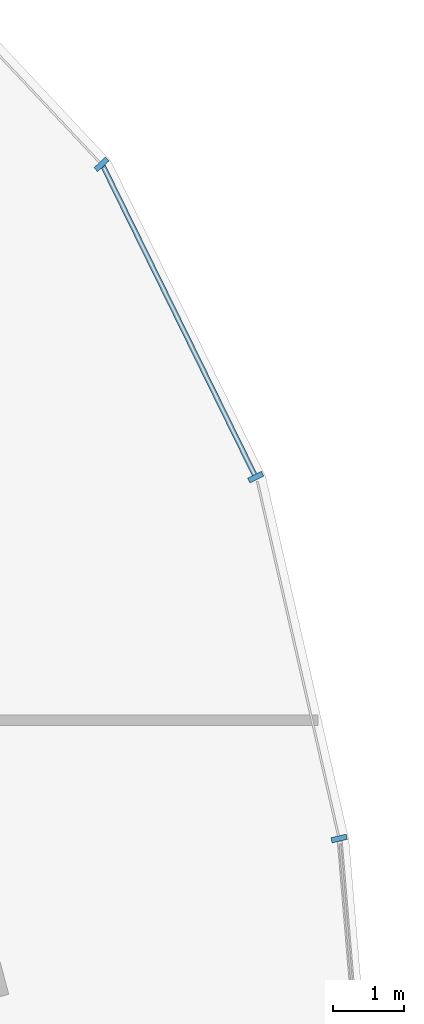
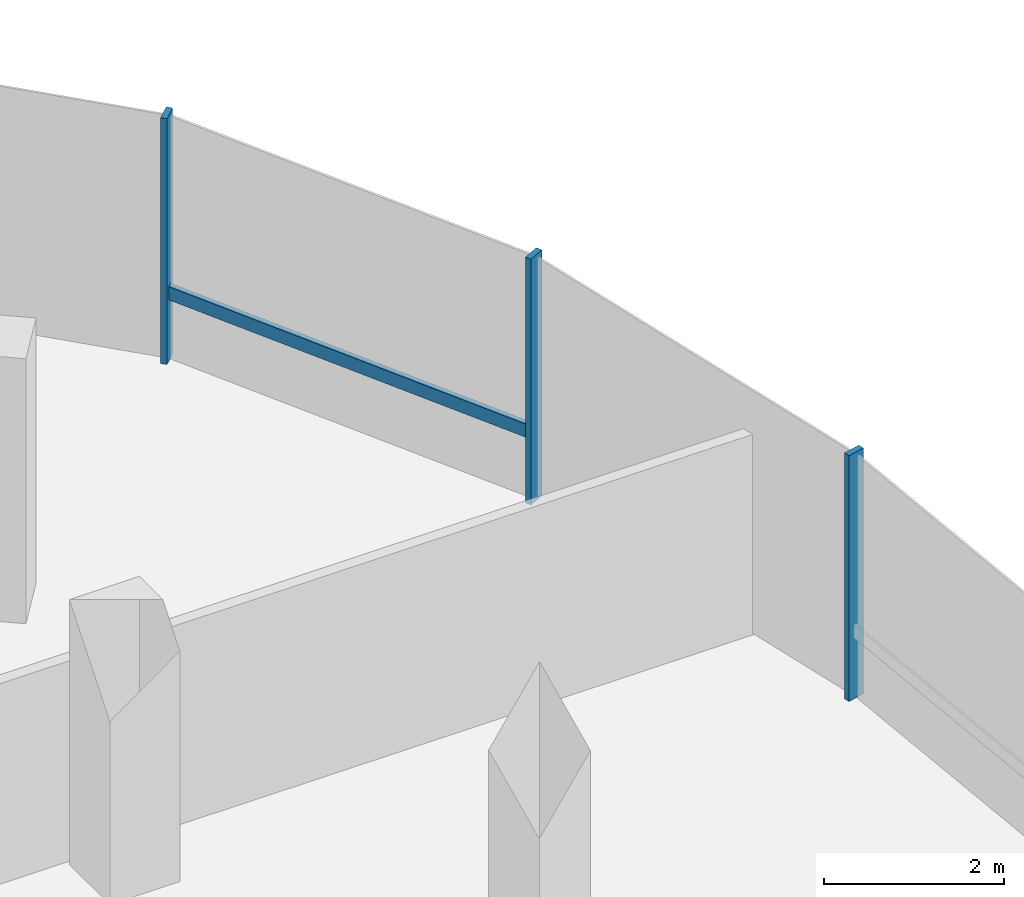
# One storey, part 11 of 25: 4 members, 1 element without a shape of its own.
"""IFC4 building model written with IfcOpenShell, lengths in metres."""

from ifc_helpers import new_model, si_unit, direction, frame, origin, origin_2d, place, context, subcontext, project, spatial, rectangle, extrude, material, material_profile, profile_set, type_object, element, aggregate, save


model = new_model("IFC4")

# Units and contexts
model_context = context("Model", 3, precision=1e-05, world=origin(), true_north=direction((0.0, 1.0)))
body_context = subcontext(model_context, "Body", "Model", "MODEL_VIEW")
ifc_project = project(units=[si_unit("LENGTHUNIT", "METRE"), si_unit("AREAUNIT", "SQUARE_METRE"), si_unit("VOLUMEUNIT", "CUBIC_METRE"), si_unit("PLANEANGLEUNIT", "RADIAN"), si_unit("MASSUNIT", "GRAM", prefix="KILO"), si_unit("THERMODYNAMICTEMPERATUREUNIT", "KELVIN"), si_unit("POWERUNIT", "WATT")], contexts=[model_context])

# Site, building, storey
site_placement = place(None, origin())
site = spatial("IfcSite", under=ifc_project, at=site_placement, CompositionType="ELEMENT")
building_placement = place(site_placement, origin())
building = spatial("IfcBuilding", under=site, at=building_placement, Name="Cundina Bronze Exchange", CompositionType="ELEMENT")
storey_placement = place(building_placement, frame((0.0, 0.0, 254.0)))
storey = spatial("IfcBuildingStorey", under=building, at=storey_placement, Name="L67", CompositionType="ELEMENT", Elevation=254.0)

# Curtain wall, members
ifc_material = material(Name="Anodised Bronze Aluminium 6063-T6", Category="aluminium")
curtain_wall_type = type_object("IfcCurtainWallType", Name="CWS-SKG-BRG", PredefinedType="NOTDEFINED", material=ifc_material)
curtain_wall_placement = place(storey_placement, origin())
curtain_wall = element("IfcCurtainWall", 1, at=curtain_wall_placement, inside=storey, type_object=curtain_wall_type, Name="L67 CW-06 Curtain Wall Run CWR-L67-E1", PredefinedType="NOTDEFINED")
ifc_material_profile_1 = material_profile(ifc_material, rectangle(XDim=0.074951171875, YDim=0.219970703125, at=origin_2d()), Name="AL75X220", Category="aluminium")
ifc_profile_set_1 = profile_set([ifc_material_profile_1], Name="Anodised Bronze Aluminium 6063-T6")
member_type_1 = type_object("IfcMemberType", Name="CWM-MUL-220", PredefinedType="MULLION", material=ifc_profile_set_1)
member_1_placement = place(storey_placement, frame((50.544677734375, 8.4111328125, 0.0), z_axis=(0.0, 0.0, 1.0), x_axis=(-0.223250116011, 0.974761194191, 0.0)))
member_1 = element("IfcMember", 2, at=member_1_placement, type_object=member_type_1, Name="CW-06 Mullion 2", PredefinedType="MULLION", context=body_context, shape_type="SweptSolid", body=[
    extrude(rectangle(XDim=0.074951171875, YDim=0.219970703125, at=origin_2d()), origin(), (0.0, 0.0, 1.0), 3.340087890625),
])
member_2_placement = place(storey_placement, frame((49.369140625, 13.50390625, 0.0), z_axis=(0.0, 0.0, 1.0), x_axis=(-0.440566004113, 0.897720221461, 0.0)))
member_2 = element("IfcMember", 3, at=member_2_placement, type_object=member_type_1, Name="CW-06 Mullion 3", PredefinedType="MULLION", context=body_context, shape_type="SweptSolid", body=[
    extrude(rectangle(XDim=0.074951171875, YDim=0.219970703125, at=origin_2d()), origin(), (0.0, 0.0, 1.0), 3.340087890625),
])
member_3_placement = place(storey_placement, frame((47.1962890625, 17.910400390625, 0.0), z_axis=(0.0, 0.0, 1.0), x_axis=(-0.684292606175, 0.729207535023, 0.0)))
member_3 = element("IfcMember", 4, at=member_3_placement, type_object=member_type_1, Name="CW-06 Mullion 4", PredefinedType="MULLION", context=body_context, shape_type="SweptSolid", body=[
    extrude(rectangle(XDim=0.074951171875, YDim=0.219970703125, at=origin_2d()), origin(), (0.0, 0.0, 1.0), 3.340087890625),
])
ifc_material_profile_2 = material_profile(ifc_material, rectangle(XDim=0.070068359375, YDim=0.179931640625, at=origin_2d()), Name="AL70X180", Category="aluminium")
ifc_profile_set_2 = profile_set([ifc_material_profile_2], Name="Anodised Bronze Aluminium 6063-T6")
member_type_2 = type_object("IfcMemberType", Name="CWM-TRN-180", PredefinedType="USERDEFINED", material=ifc_profile_set_2)
member_4_placement = place(storey_placement, frame((49.35107421875, 13.541015625, 0.919921875), z_axis=(-0.440554408939, 0.897725911826, 0.0), x_axis=(-0.897725911826, -0.440554408939, 0.0)))
member_4 = element("IfcMember", 5, at=member_4_placement, type_object=member_type_2, Name="CW-06 Spandrel Transom 3", ObjectType="TRANSOM", PredefinedType="USERDEFINED", context=body_context, shape_type="SweptSolid", body=[
    extrude(rectangle(XDim=0.070068359375, YDim=0.179931640625, at=origin_2d()), origin(), (0.0, 0.0, 1.0), 4.848388671875),
])
aggregate(curtain_wall, [member_1, member_2, member_4, member_3])

save(model, "model.ifc")
